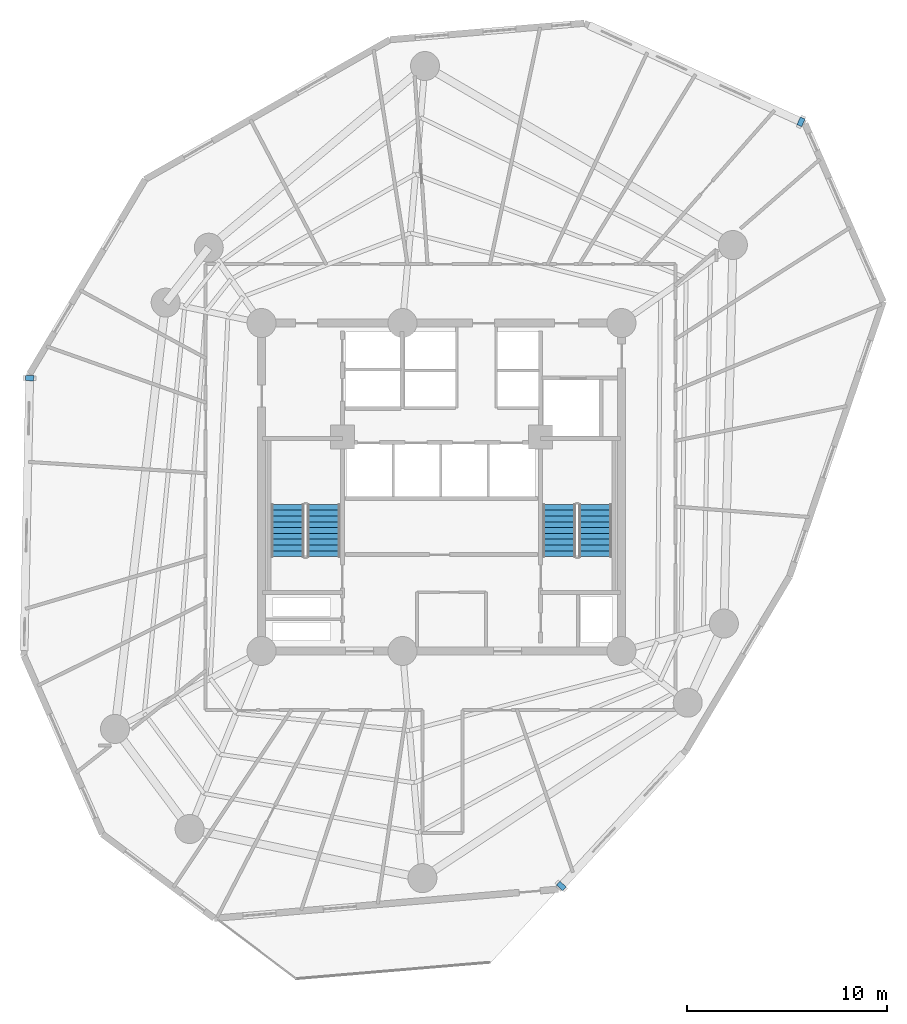
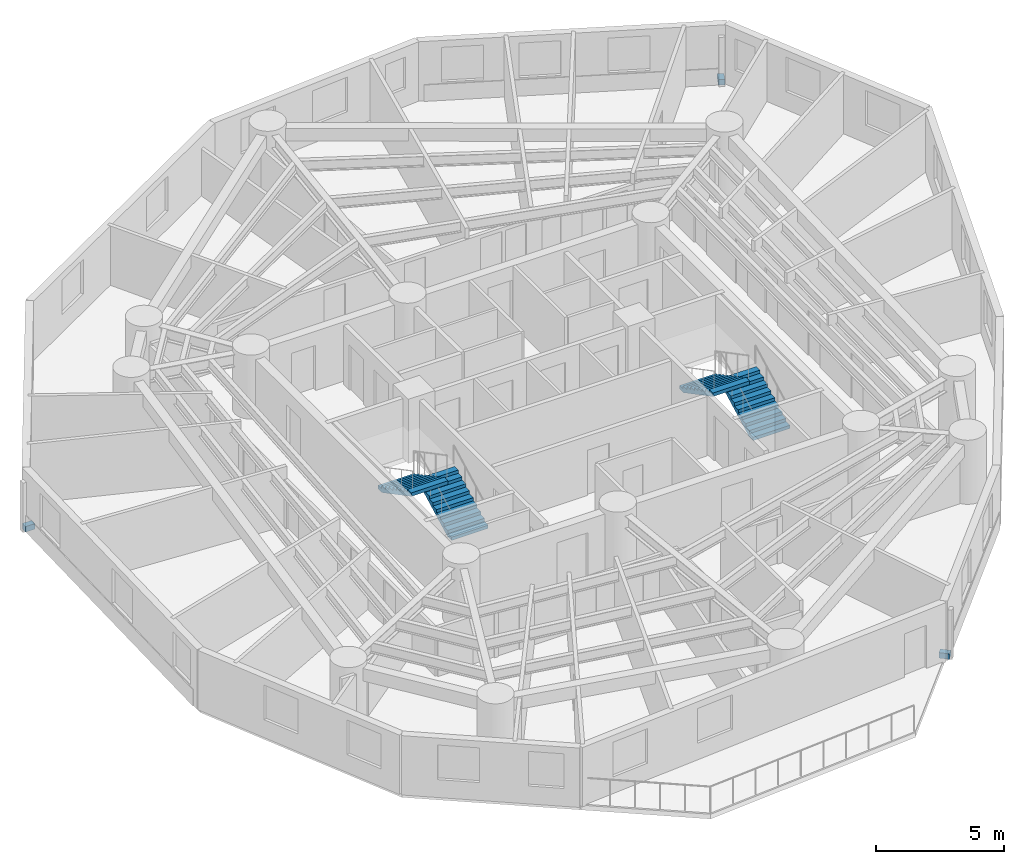
# One storey, part 7 of 10: 4 stair flights, 3 discrete accessories, 2 elements without a shape of their own.
"""IFC4 building model written with IfcOpenShell, lengths in metres."""

from ifc_helpers import new_model, si_unit, direction, frame, origin, origin_with_axes, origin_2d, place, context, subcontext, project, spatial, polyline, rectangle, outline, extrude, source, transform, mapped, material, type_object, element, aggregate, save


model = new_model("IFC4")

# Units and contexts
model_context = context("Model", 3, precision=1e-05, world=origin(), true_north=direction((0.0, 1.0)))
body_context = subcontext(model_context, "Body", "Model", "MODEL_VIEW")
ifc_project = project(units=[si_unit("LENGTHUNIT", "METRE"), si_unit("AREAUNIT", "SQUARE_METRE"), si_unit("VOLUMEUNIT", "CUBIC_METRE"), si_unit("PLANEANGLEUNIT", "RADIAN"), si_unit("MASSUNIT", "GRAM", prefix="KILO")], contexts=[model_context])

# Site, building, storey
site_placement = place(None, origin())
site = spatial("IfcSite", under=ifc_project, at=site_placement, CompositionType="ELEMENT")
building_placement = place(site_placement, origin())
building = spatial("IfcBuilding", under=site, at=building_placement, Name="Karkom Vertical University and Central Library", CompositionType="ELEMENT")
storey_placement = place(building_placement, frame((0.0, 0.0, 111.449951171875)))
storey = spatial("IfcBuildingStorey", under=building, at=storey_placement, Name="L30", CompositionType="ELEMENT", Elevation=111.449951171875)

# Stair, stair flights
ifc_material_1 = material(Name="Concrete C45/55", Category="concrete")
stair_type = type_object("IfcStairType", Name="INT-STR-ST-MAIN", PredefinedType="HALF_TURN_STAIR", material=ifc_material_1)
stair_1_placement = place(storey_placement, origin())
stair_1 = element("IfcStair", 1, at=stair_1_placement, inside=storey, type_object=stair_type, Name="Level 30 Tower Protected Exit Stair ST-1", PredefinedType="HALF_TURN_STAIR")
stair_flight_type = type_object("IfcStairFlightType", Name="INT-SFL-ST-MAIN", PredefinedType="STRAIGHT", material=ifc_material_1)
stair_flight_1_placement = place(storey_placement, frame((22.614990234375, 23.02001953125, 0.0), z_axis=(0.0, 0.0, 1.0), x_axis=(0.0, 1.0, 0.0)))
stair_flight_1 = element("IfcStairFlight", 2, at=stair_flight_1_placement, type_object=stair_flight_type, Name="ST-1 flight 1", NumberOfRisers=10, NumberOfTreads=9, PredefinedType="STRAIGHT", RiserHeight=0.1525, TreadLength=0.29, context=body_context, shape_type="SweptSolid", body=[
    extrude(outline(polyline([(0.0, 0.0), (0.0, 0.152587890625), (0.2900390625, 0.152587890625), (0.2900390625, 0.304931640625), (0.580078125, 0.304931640625), (0.580078125, 0.45751953125), (0.8701171875, 0.45751953125), (0.8701171875, 0.610107421875), (1.159912109375, 0.610107421875), (1.159912109375, 0.762451171875), (1.449951171875, 0.762451171875), (1.449951171875, 0.9150390625), (1.739990234375, 0.9150390625), (1.739990234375, 1.0673828125), (2.030029296875, 1.0673828125), (2.030029296875, 1.219970703125), (2.320068359375, 1.219970703125), (2.320068359375, 1.37255859375), (2.610107421875, 1.37255859375), (2.610107421875, 1.52490234375), (2.610107421875, 1.203125), (0.322021484375, 0.0), (0.0, 0.0)])), frame((0.0, 0.824951171875, 0.0), z_axis=(0.0, -1.0, 0.0), x_axis=(1.0, 0.0, 0.0)), (0.0, 0.0, 1.0), 1.64990234375),
])
stair_flight_2_placement = place(storey_placement, frame((20.804931640625, 25.6298828125, 1.525146484375), z_axis=(0.0, 0.0, 1.0), x_axis=(0.0, -1.0, 0.0)))
stair_flight_2 = element("IfcStairFlight", 3, at=stair_flight_2_placement, type_object=stair_flight_type, Name="ST-1 flight 2", NumberOfRisers=10, NumberOfTreads=9, PredefinedType="STRAIGHT", RiserHeight=0.1525, TreadLength=0.29, context=body_context, shape_type="SweptSolid", body=[
    extrude(outline(polyline([(0.0, 0.0), (0.0, 0.152587890625), (0.2900390625, 0.152587890625), (0.2900390625, 0.304931640625), (0.580078125, 0.304931640625), (0.580078125, 0.45751953125), (0.8701171875, 0.45751953125), (0.8701171875, 0.610107421875), (1.159912109375, 0.610107421875), (1.159912109375, 0.762451171875), (1.449951171875, 0.762451171875), (1.449951171875, 0.9150390625), (1.739990234375, 0.9150390625), (1.739990234375, 1.0673828125), (2.030029296875, 1.0673828125), (2.030029296875, 1.219970703125), (2.320068359375, 1.219970703125), (2.320068359375, 1.37255859375), (2.610107421875, 1.37255859375), (2.610107421875, 1.52490234375), (2.610107421875, 1.203125), (0.322021484375, 0.0), (0.0, 0.0)])), frame((0.0, 0.824951171875, 0.0), z_axis=(0.0, -1.0, 0.0), x_axis=(1.0, 0.0, 0.0)), (0.0, 0.0, 1.0), 1.64990234375),
])
aggregate(stair_1, [stair_flight_1, stair_flight_2])

stair_2_placement = place(storey_placement, origin())
stair_2 = element("IfcStair", 4, at=stair_2_placement, inside=storey, type_object=stair_type, Name="Level 30 Tower Protected Exit Stair ST-2", PredefinedType="HALF_TURN_STAIR")
stair_flight_3_placement = place(storey_placement, frame((36.195068359375, 23.02001953125, 0.0), z_axis=(0.0, 0.0, 1.0), x_axis=(0.0, 1.0, 0.0)))
stair_flight_3 = element("IfcStairFlight", 5, at=stair_flight_3_placement, type_object=stair_flight_type, Name="ST-2 flight 1", NumberOfRisers=10, NumberOfTreads=9, PredefinedType="STRAIGHT", RiserHeight=0.1525, TreadLength=0.29, context=body_context, shape_type="SweptSolid", body=[
    extrude(outline(polyline([(0.0, 0.0), (0.0, 0.152587890625), (0.2900390625, 0.152587890625), (0.2900390625, 0.304931640625), (0.580078125, 0.304931640625), (0.580078125, 0.45751953125), (0.8701171875, 0.45751953125), (0.8701171875, 0.610107421875), (1.159912109375, 0.610107421875), (1.159912109375, 0.762451171875), (1.449951171875, 0.762451171875), (1.449951171875, 0.9150390625), (1.739990234375, 0.9150390625), (1.739990234375, 1.0673828125), (2.030029296875, 1.0673828125), (2.030029296875, 1.219970703125), (2.320068359375, 1.219970703125), (2.320068359375, 1.37255859375), (2.610107421875, 1.37255859375), (2.610107421875, 1.52490234375), (2.610107421875, 1.203125), (0.322021484375, 0.0), (0.0, 0.0)])), frame((0.0, 0.824951171875, 0.0), z_axis=(0.0, -1.0, 0.0), x_axis=(1.0, 0.0, 0.0)), (0.0, 0.0, 1.0), 1.64990234375),
])
stair_flight_4_placement = place(storey_placement, frame((34.385009765625, 25.6298828125, 1.525146484375), z_axis=(0.0, 0.0, 1.0), x_axis=(0.0, -1.0, 0.0)))
stair_flight_4 = element("IfcStairFlight", 6, at=stair_flight_4_placement, type_object=stair_flight_type, Name="ST-2 flight 2", NumberOfRisers=10, NumberOfTreads=9, PredefinedType="STRAIGHT", RiserHeight=0.1525, TreadLength=0.29, context=body_context, shape_type="SweptSolid", body=[
    extrude(outline(polyline([(0.0, 0.0), (0.0, 0.152587890625), (0.2900390625, 0.152587890625), (0.2900390625, 0.304931640625), (0.580078125, 0.304931640625), (0.580078125, 0.45751953125), (0.8701171875, 0.45751953125), (0.8701171875, 0.610107421875), (1.159912109375, 0.610107421875), (1.159912109375, 0.762451171875), (1.449951171875, 0.762451171875), (1.449951171875, 0.9150390625), (1.739990234375, 0.9150390625), (1.739990234375, 1.0673828125), (2.030029296875, 1.0673828125), (2.030029296875, 1.219970703125), (2.320068359375, 1.219970703125), (2.320068359375, 1.37255859375), (2.610107421875, 1.37255859375), (2.610107421875, 1.52490234375), (2.610107421875, 1.203125), (0.322021484375, 0.0), (0.0, 0.0)])), frame((0.0, 0.824951171875, 0.0), z_axis=(0.0, -1.0, 0.0), x_axis=(1.0, 0.0, 0.0)), (0.0, 0.0, 1.0), 1.64990234375),
])
aggregate(stair_2, [stair_flight_3, stair_flight_4])

# Discrete accessories
ifc_material_2 = material(Name="Austenitic stainless steel 316", Category="steel")
discrete_accessory_type = type_object("IfcDiscreteAccessoryType", Name="INT-ACC-BRACKET", PredefinedType="BRACKET", material=ifc_material_2)
shared_shape = source(origin_with_axes(), body_context, "Body", "SweptSolid", [
    extrude(rectangle(XDim=0.260009765625, YDim=0.419921875, at=origin_2d()), origin(), (0.0, 0.0, 1.0), 0.260009765625),
])
for number, where, z_axis, x_axis, name in (
    (7, (7.90087890625, 31.943603515625, 0.0), (0.0, 0.0, 1.0), (-0.020418933095, -0.999791511852, 0.0), "Level 30 Sun-Breaker Stainless Corbel Bracket 13"),
    (8, (34.4912109375, 6.55078125, 0.0), (0.0, 0.0, 1.0), (0.677132874795, 0.735860767993, 0.0), "Level 30 Sun-Breaker Stainless Corbel Bracket 14"),
    (9, (46.4755859375, 44.75927734375, 0.0), (0.0, 0.0, 1.0), (-0.9102505596, 0.41405786884, 0.0), "Level 30 Sun-Breaker Stainless Corbel Bracket 15"),
):
    element("IfcDiscreteAccessory", number, at=place(storey_placement, frame(where, z_axis=z_axis, x_axis=x_axis)), inside=storey, type_object=discrete_accessory_type, Name=name, PredefinedType="BRACKET", context=body_context, shape_type="MappedRepresentation", body=[
        mapped(shared_shape, transform((0.0, 0.0, 0.0), scale=1.0)),
    ])

save(model, "model.ifc")
